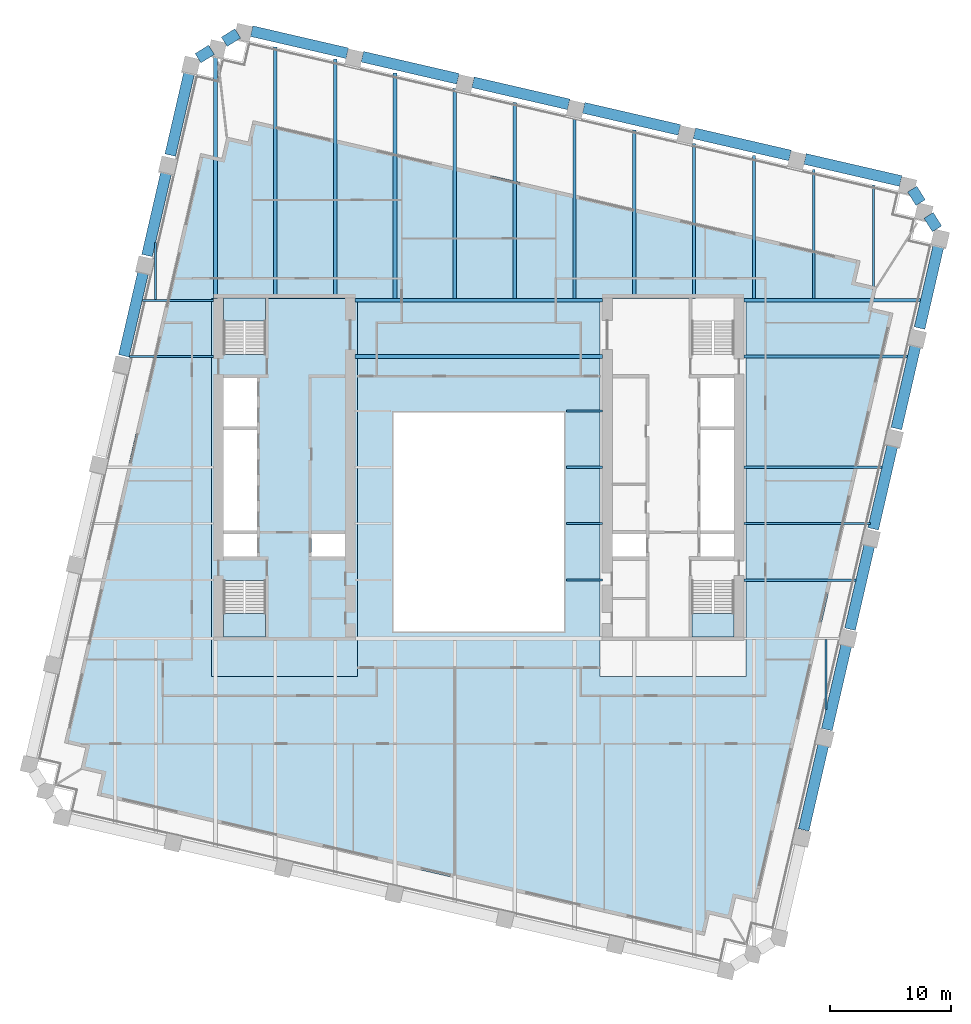
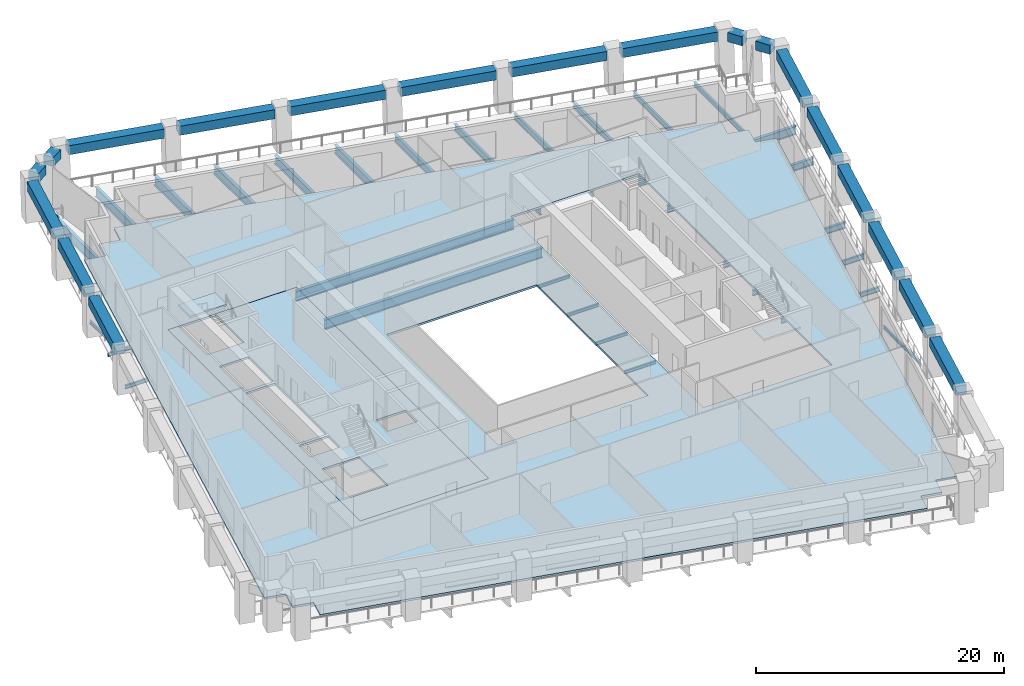
# One storey, part 2 of 10: 46 beams, 5 slabs, 3 elements without a shape of their own.
"""IFC4 building model written with IfcOpenShell, lengths in metres."""

from ifc_helpers import new_model, si_unit, direction, frame, origin, origin_2d, place, context, subcontext, project, spatial, polyline, rectangle, i_section, outline, extrude, material, layer, layer_set, material_profile, profile_set, type_object, element, aggregate, save


model = new_model("IFC4")

# Units and contexts
model_context = context("Model", 3, precision=1e-05, world=origin(), true_north=direction((0.0, 1.0)))
body_context = subcontext(model_context, "Body", "Model", "MODEL_VIEW")
ifc_project = project(units=[si_unit("LENGTHUNIT", "METRE"), si_unit("AREAUNIT", "SQUARE_METRE"), si_unit("VOLUMEUNIT", "CUBIC_METRE"), si_unit("PLANEANGLEUNIT", "RADIAN"), si_unit("MASSUNIT", "GRAM", prefix="KILO")], contexts=[model_context])

# Site, building, storey
site_placement = place(None, origin())
site = spatial("IfcSite", under=ifc_project, at=site_placement, CompositionType="ELEMENT")
building_placement = place(site_placement, origin())
building = spatial("IfcBuilding", under=site, at=building_placement, Name="Ogive Exchange Tower", CompositionType="ELEMENT")
storey_placement = place(building_placement, frame((0.0, 0.0, 147.60009765625)))
storey = spatial("IfcBuildingStorey", under=building, at=storey_placement, Name="L32", CompositionType="ELEMENT", Elevation=147.60009765625)

# Beams
ifc_material_1 = material(Name="Steel ASTM A992 Gr50", Category="steel")
ifc_material_profile_1 = material_profile(ifc_material_1, i_section(OverallWidth=0.300048828125, OverallDepth=0.969970703125, WebThickness=0.01611328125, FlangeThickness=0.02099609375, at=origin_2d()), Name="W1000x222")
ifc_profile_set_1 = profile_set([ifc_material_profile_1], Name="Steel ASTM A992 Gr50")
beam_type_1 = type_object("IfcBeamType", Name="Floor beam W1000x222", PredefinedType="JOIST", material=ifc_profile_set_1)
beam_1_placement = place(storey_placement, frame((-10.169921875, 20.62255859375, -0.68505859375), z_axis=(1.0, 0.0, 0.0), x_axis=(0.0, 1.0, 0.0)))
element("IfcBeam", 1, at=beam_1_placement, inside=storey, type_object=beam_type_1, Name="Floor beam", PredefinedType="JOIST", context=body_context, shape_type="SweptSolid", body=[
    extrude(i_section(OverallWidth=0.300048828125, OverallDepth=0.969970703125, WebThickness=0.01611328125, FlangeThickness=0.02099609375, at=origin_2d()), origin(), (0.0, 0.0, 1.0), 20.33984375),
])
beam_2_placement = place(storey_placement, frame((-21.667724609375, 25.39990234375, -0.68505859375), z_axis=(0.0, 1.0, 0.0), x_axis=(-1.0, 0.0, 0.0)))
element("IfcBeam", 2, at=beam_2_placement, inside=storey, type_object=beam_type_1, Name="Floor beam", PredefinedType="JOIST", context=body_context, shape_type="SweptSolid", body=[
    extrude(i_section(OverallWidth=0.300048828125, OverallDepth=0.969970703125, WebThickness=0.01611328125, FlangeThickness=0.02099609375, at=origin_2d()), origin(), (0.0, 0.0, 1.0), 19.92919921875),
])
beam_3_placement = place(storey_placement, frame((-11.819580078125, 25.39990234375, -0.68505859375), z_axis=(0.0, 1.0, 0.0), x_axis=(-1.0, 0.0, 0.0)))
element("IfcBeam", 3, at=beam_3_placement, inside=storey, type_object=beam_type_1, Name="Floor beam", PredefinedType="JOIST", context=body_context, shape_type="SweptSolid", body=[
    extrude(i_section(OverallWidth=0.300048828125, OverallDepth=0.969970703125, WebThickness=0.01611328125, FlangeThickness=0.02099609375, at=origin_2d()), origin(), (0.0, 0.0, 1.0), 19.708251953125),
])
ifc_material_profile_2 = material_profile(ifc_material_1, i_section(OverallWidth=0.300048828125, OverallDepth=0.97998046875, WebThickness=0.0166015625, FlangeThickness=0.026123046875, at=origin_2d()), Name="W1000x249")
ifc_profile_set_2 = profile_set([ifc_material_profile_2], Name="Steel ASTM A992 Gr50")
beam_type_2 = type_object("IfcBeamType", Name="Floor beam W1000x249", PredefinedType="JOIST", material=ifc_profile_set_2)
beam_4_placement = place(storey_placement, frame((-16.74365234375, 25.39990234375, -0.690185546875), z_axis=(0.0, 1.0, 0.0), x_axis=(-1.0, 0.0, 0.0)))
element("IfcBeam", 4, at=beam_4_placement, inside=storey, type_object=beam_type_2, Name="Floor beam", PredefinedType="JOIST", context=body_context, shape_type="SweptSolid", body=[
    extrude(i_section(OverallWidth=0.300048828125, OverallDepth=0.97998046875, WebThickness=0.0166015625, FlangeThickness=0.026123046875, at=origin_2d()), origin(), (0.0, 0.0, 1.0), 20.695068359375),
])
ifc_material_profile_3 = material_profile(ifc_material_1, i_section(OverallWidth=0.1650390625, OverallDepth=0.31005859375, WebThickness=0.005859375, FlangeThickness=0.009765625, at=origin_2d()), Name="W310x38.7")
ifc_profile_set_3 = profile_set([ifc_material_profile_3], Name="Steel ASTM A992 Gr50")
beam_type_3 = type_object("IfcBeamType", Name="Floor beam W310x38.7", PredefinedType="JOIST", material=ifc_profile_set_3)
for number, where, z_axis, x_axis, name in (
    (5, (7.219970703125, 2.208740234375, -0.35498046875), (1.0, 0.0, 0.0), (0.0, 1.0, 0.0), "Floor beam"),
    (6, (7.219970703125, 6.857421875, -0.35498046875), (1.0, 0.0, 0.0), (0.0, 1.0, 0.0), "Floor beam"),
    (7, (7.219970703125, 11.50634765625, -0.35498046875), (1.0, 0.0, 0.0), (0.0, 1.0, 0.0), "Floor beam"),
):
    element("IfcBeam", number, at=place(storey_placement, frame(where, z_axis=z_axis, x_axis=x_axis)), inside=storey, type_object=beam_type_3, Name=name, PredefinedType="JOIST", context=body_context, shape_type="SweptSolid", body=[
        extrude(i_section(OverallWidth=0.1650390625, OverallDepth=0.31005859375, WebThickness=0.005859375, FlangeThickness=0.009765625, at=origin_2d()), origin(), (0.0, 0.0, 1.0), 2.949951171875),
    ])
beam_5_placement = place(storey_placement, frame((28.573486328125, -8.430908203125, -0.35498046875), z_axis=(0.0, 1.0, 0.0), x_axis=(-1.0, 0.0, 0.0)))
element("IfcBeam", 8, at=beam_5_placement, inside=storey, type_object=beam_type_3, Name="Floor beam", PredefinedType="JOIST", context=body_context, shape_type="SweptSolid", body=[
    extrude(i_section(OverallWidth=0.1650390625, OverallDepth=0.31005859375, WebThickness=0.005859375, FlangeThickness=0.009765625, at=origin_2d()), origin(), (0.0, 0.0, 1.0), 5.740478515625),
])
beam_6_placement = place(storey_placement, frame((-26.592041015625, 25.33056640625, -0.35498046875), z_axis=(0.0, 1.0, 0.0), x_axis=(-1.0, 0.0, 0.0)))
element("IfcBeam", 9, at=beam_6_placement, inside=storey, type_object=beam_type_3, Name="Floor beam", PredefinedType="JOIST", context=body_context, shape_type="SweptSolid", body=[
    extrude(i_section(OverallWidth=0.1650390625, OverallDepth=0.31005859375, WebThickness=0.005859375, FlangeThickness=0.009765625, at=origin_2d()), origin(), (0.0, 0.0, 1.0), 4.683837890625),
])
ifc_material_profile_4 = material_profile(ifc_material_1, i_section(OverallWidth=0.1708984375, OverallDepth=0.35595703125, WebThickness=0.00732421875, FlangeThickness=0.01171875, at=origin_2d()), Name="W360x51")
ifc_profile_set_4 = profile_set([ifc_material_profile_4], Name="Steel ASTM A992 Gr50")
beam_type_4 = type_object("IfcBeamType", Name="Floor beam W360x51", PredefinedType="JOIST", material=ifc_profile_set_4)
beam_7_placement = place(storey_placement, frame((-28.76025390625, 20.62255859375, -0.378173828125), z_axis=(1.0, 0.0, 0.0), x_axis=(0.0, 1.0, 0.0)))
element("IfcBeam", 10, at=beam_7_placement, inside=storey, type_object=beam_type_4, Name="Floor beam", PredefinedType="JOIST", context=body_context, shape_type="SweptSolid", body=[
    extrude(i_section(OverallWidth=0.1708984375, OverallDepth=0.35595703125, WebThickness=0.00732421875, FlangeThickness=0.01171875, at=origin_2d()), origin(), (0.0, 0.0, 1.0), 6.93017578125),
])
ifc_material_profile_5 = material_profile(ifc_material_1, i_section(OverallWidth=0.19091796875, OverallDepth=0.45703125, WebThickness=0.009033203125, FlangeThickness=0.014404296875, at=origin_2d()), Name="W460x74")
ifc_profile_set_5 = profile_set([ifc_material_profile_5], Name="Steel ASTM A992 Gr50")
beam_type_5 = type_object("IfcBeamType", Name="Floor beam W460x74", PredefinedType="JOIST", material=ifc_profile_set_5)
beam_8_placement = place(storey_placement, frame((21.830078125, 2.208740234375, -0.4287109375), z_axis=(1.0, 0.0, 0.0), x_axis=(0.0, 1.0, 0.0)))
element("IfcBeam", 11, at=beam_8_placement, inside=storey, type_object=beam_type_5, Name="Floor beam", PredefinedType="JOIST", context=body_context, shape_type="SweptSolid", body=[
    extrude(i_section(OverallWidth=0.19091796875, OverallDepth=0.45703125, WebThickness=0.009033203125, FlangeThickness=0.014404296875, at=origin_2d()), origin(), (0.0, 0.0, 1.0), 9.199951171875),
])
beam_9_placement = place(storey_placement, frame((32.497802734375, 25.39111328125, -0.4287109375), z_axis=(0.0, 1.0, 0.0), x_axis=(-1.0, 0.0, 0.0)))
element("IfcBeam", 12, at=beam_9_placement, inside=storey, type_object=beam_type_5, Name="Floor beam", PredefinedType="JOIST", context=body_context, shape_type="SweptSolid", body=[
    extrude(i_section(OverallWidth=0.19091796875, OverallDepth=0.45703125, WebThickness=0.009033203125, FlangeThickness=0.014404296875, at=origin_2d()), origin(), (0.0, 0.0, 1.0), 9.335693359375),
])
ifc_material_profile_6 = material_profile(ifc_material_1, i_section(OverallWidth=0.1669921875, OverallDepth=0.535888671875, WebThickness=0.01025390625, FlangeThickness=0.0166015625, at=origin_2d()), Name="W530x85")
ifc_profile_set_6 = profile_set([ifc_material_profile_6], Name="Steel ASTM A992 Gr50")
beam_type_6 = type_object("IfcBeamType", Name="Floor beam W530x85", PredefinedType="JOIST", material=ifc_profile_set_6)
beam_10_placement = place(storey_placement, frame((21.830078125, 6.857421875, -0.468017578125), z_axis=(1.0, 0.0, 0.0), x_axis=(0.0, 1.0, 0.0)))
element("IfcBeam", 13, at=beam_10_placement, inside=storey, type_object=beam_type_6, Name="Floor beam", PredefinedType="JOIST", context=body_context, shape_type="SweptSolid", body=[
    extrude(i_section(OverallWidth=0.1669921875, OverallDepth=0.535888671875, WebThickness=0.01025390625, FlangeThickness=0.0166015625, at=origin_2d()), origin(), (0.0, 0.0, 1.0), 10.423095703125),
])
beam_11_placement = place(storey_placement, frame((27.573486328125, 25.39111328125, -0.468017578125), z_axis=(0.0, 1.0, 0.0), x_axis=(-1.0, 0.0, 0.0)))
element("IfcBeam", 14, at=beam_11_placement, inside=storey, type_object=beam_type_6, Name="Floor beam", PredefinedType="JOIST", context=body_context, shape_type="SweptSolid", body=[
    extrude(i_section(OverallWidth=0.1669921875, OverallDepth=0.535888671875, WebThickness=0.01025390625, FlangeThickness=0.0166015625, at=origin_2d()), origin(), (0.0, 0.0, 1.0), 10.622314453125),
])
ifc_material_profile_7 = material_profile(ifc_material_1, i_section(OverallWidth=0.22802734375, OverallDepth=0.60205078125, WebThickness=0.010498046875, FlangeThickness=0.014892578125, at=origin_2d()), Name="W610x101")
ifc_profile_set_7 = profile_set([ifc_material_profile_7], Name="Steel ASTM A992 Gr50")
beam_type_7 = type_object("IfcBeamType", Name="Floor beam W610x101", PredefinedType="JOIST", material=ifc_profile_set_7)
beam_12_placement = place(storey_placement, frame((21.830078125, 11.50634765625, -0.5009765625), z_axis=(1.0, 0.0, 0.0), x_axis=(0.0, 1.0, 0.0)))
element("IfcBeam", 15, at=beam_12_placement, inside=storey, type_object=beam_type_7, Name="Floor beam", PredefinedType="JOIST", context=body_context, shape_type="SweptSolid", body=[
    extrude(i_section(OverallWidth=0.22802734375, OverallDepth=0.60205078125, WebThickness=0.010498046875, FlangeThickness=0.014892578125, at=origin_2d()), origin(), (0.0, 0.0, 1.0), 11.346435546875),
])
beam_13_placement = place(storey_placement, frame((22.6494140625, 25.39111328125, -0.5009765625), z_axis=(0.0, 1.0, 0.0), x_axis=(-1.0, 0.0, 0.0)))
element("IfcBeam", 16, at=beam_13_placement, inside=storey, type_object=beam_type_7, Name="Floor beam", PredefinedType="JOIST", context=body_context, shape_type="SweptSolid", body=[
    extrude(i_section(OverallWidth=0.22802734375, OverallDepth=0.60205078125, WebThickness=0.010498046875, FlangeThickness=0.014892578125, at=origin_2d()), origin(), (0.0, 0.0, 1.0), 11.75927734375),
])
ifc_material_profile_8 = material_profile(ifc_material_1, i_section(OverallWidth=0.22900390625, OverallDepth=0.612060546875, WebThickness=0.011962890625, FlangeThickness=0.01953125, at=origin_2d()), Name="W610x125")
ifc_profile_set_8 = profile_set([ifc_material_profile_8], Name="Steel ASTM A992 Gr50")
beam_type_8 = type_object("IfcBeamType", Name="Floor beam W610x125", PredefinedType="JOIST", material=ifc_profile_set_8)
beam_14_placement = place(storey_placement, frame((17.725341796875, 25.39990234375, -0.506103515625), z_axis=(0.0, 1.0, 0.0), x_axis=(-1.0, 0.0, 0.0)))
element("IfcBeam", 17, at=beam_14_placement, inside=storey, type_object=beam_type_8, Name="Floor beam", PredefinedType="JOIST", context=body_context, shape_type="SweptSolid", body=[
    extrude(i_section(OverallWidth=0.22900390625, OverallDepth=0.612060546875, WebThickness=0.011962890625, FlangeThickness=0.01953125, at=origin_2d()), origin(), (0.0, 0.0, 1.0), 12.7373046875),
])
ifc_material_profile_9 = material_profile(ifc_material_1, i_section(OverallWidth=0.25390625, OverallDepth=0.677978515625, WebThickness=0.01171875, FlangeThickness=0.016357421875, at=origin_2d()), Name="W690x125")
ifc_profile_set_9 = profile_set([ifc_material_profile_9], Name="Steel ASTM A992 Gr50")
beam_type_9 = type_object("IfcBeamType", Name="Floor beam W690x125", PredefinedType="JOIST", material=ifc_profile_set_9)
beam_15_placement = place(storey_placement, frame((21.830078125, 20.62255859375, -0.5390625), z_axis=(1.0, 0.0, 0.0), x_axis=(0.0, 1.0, 0.0)))
element("IfcBeam", 18, at=beam_15_placement, inside=storey, type_object=beam_type_9, Name="Floor beam", PredefinedType="JOIST", context=body_context, shape_type="SweptSolid", body=[
    extrude(i_section(OverallWidth=0.25390625, OverallDepth=0.677978515625, WebThickness=0.01171875, FlangeThickness=0.016357421875, at=origin_2d()), origin(), (0.0, 0.0, 1.0), 13.60107421875),
])
beam_16_placement = place(storey_placement, frame((12.80126953125, 25.39990234375, -0.5390625), z_axis=(0.0, 1.0, 0.0), x_axis=(-1.0, 0.0, 0.0)))
element("IfcBeam", 19, at=beam_16_placement, inside=storey, type_object=beam_type_9, Name="Floor beam", PredefinedType="JOIST", context=body_context, shape_type="SweptSolid", body=[
    extrude(i_section(OverallWidth=0.25390625, OverallDepth=0.677978515625, WebThickness=0.01171875, FlangeThickness=0.016357421875, at=origin_2d()), origin(), (0.0, 0.0, 1.0), 13.8740234375),
])
ifc_material_profile_10 = material_profile(ifc_material_1, i_section(OverallWidth=0.26708984375, OverallDepth=0.75390625, WebThickness=0.01318359375, FlangeThickness=0.01708984375, at=origin_2d()), Name="W760x147")
ifc_profile_set_10 = profile_set([ifc_material_profile_10], Name="Steel ASTM A992 Gr50")
beam_type_10 = type_object("IfcBeamType", Name="Floor beam W760x147", PredefinedType="JOIST", material=ifc_profile_set_10)
beam_17_placement = place(storey_placement, frame((7.876953125, 25.39501953125, -0.5771484375), z_axis=(0.0, 1.0, 0.0), x_axis=(-1.0, 0.0, 0.0)))
element("IfcBeam", 20, at=beam_17_placement, inside=storey, type_object=beam_type_10, Name="Floor beam", PredefinedType="JOIST", context=body_context, shape_type="SweptSolid", body=[
    extrude(i_section(OverallWidth=0.26708984375, OverallDepth=0.75390625, WebThickness=0.01318359375, FlangeThickness=0.01708984375, at=origin_2d()), origin(), (0.0, 0.0, 1.0), 15.015869140625),
])
ifc_material_profile_11 = material_profile(ifc_material_1, i_section(OverallWidth=0.2919921875, OverallDepth=0.8359375, WebThickness=0.013916015625, FlangeThickness=0.018798828125, at=origin_2d()), Name="W840x176")
ifc_profile_set_11 = profile_set([ifc_material_profile_11], Name="Steel ASTM A992 Gr50")
beam_type_11 = type_object("IfcBeamType", Name="Floor beam W840x176", PredefinedType="JOIST", material=ifc_profile_set_11)
beam_18_placement = place(storey_placement, frame((-1.97119140625, 25.39501953125, -0.6181640625), z_axis=(0.0, 1.0, 0.0), x_axis=(-1.0, 0.0, 0.0)))
element("IfcBeam", 21, at=beam_18_placement, inside=storey, type_object=beam_type_11, Name="Floor beam", PredefinedType="JOIST", context=body_context, shape_type="SweptSolid", body=[
    extrude(i_section(OverallWidth=0.2919921875, OverallDepth=0.8359375, WebThickness=0.013916015625, FlangeThickness=0.018798828125, at=origin_2d()), origin(), (0.0, 0.0, 1.0), 17.28955078125),
])
beam_19_placement = place(storey_placement, frame((2.952880859375, 25.39501953125, -0.6181640625), z_axis=(0.0, 1.0, 0.0), x_axis=(-1.0, 0.0, 0.0)))
element("IfcBeam", 22, at=beam_19_placement, inside=storey, type_object=beam_type_11, Name="Floor beam", PredefinedType="JOIST", context=body_context, shape_type="SweptSolid", body=[
    extrude(i_section(OverallWidth=0.2919921875, OverallDepth=0.8359375, WebThickness=0.013916015625, FlangeThickness=0.018798828125, at=origin_2d()), origin(), (0.0, 0.0, 1.0), 16.152587890625),
])
ifc_material_profile_12 = material_profile(ifc_material_1, i_section(OverallWidth=0.304931640625, OverallDepth=0.904052734375, WebThickness=0.01513671875, FlangeThickness=0.02001953125, at=origin_2d()), Name="W920x201")
ifc_profile_set_12 = profile_set([ifc_material_profile_12], Name="Steel ASTM A992 Gr50")
beam_type_12 = type_object("IfcBeamType", Name="Floor beam W920x201", PredefinedType="JOIST", material=ifc_profile_set_12)
beam_20_placement = place(storey_placement, frame((-6.8955078125, 25.39501953125, -0.652099609375), z_axis=(0.0, 1.0, 0.0), x_axis=(-1.0, 0.0, 0.0)))
element("IfcBeam", 23, at=beam_20_placement, inside=storey, type_object=beam_type_12, Name="Floor beam", PredefinedType="JOIST", context=body_context, shape_type="SweptSolid", body=[
    extrude(i_section(OverallWidth=0.304931640625, OverallDepth=0.904052734375, WebThickness=0.01513671875, FlangeThickness=0.02001953125, at=origin_2d()), origin(), (0.0, 0.0, 1.0), 18.576171875),
])
ifc_material_profile_13 = material_profile(ifc_material_1, i_section(OverallWidth=0.300048828125, OverallDepth=0.97998046875, WebThickness=0.0166015625, FlangeThickness=0.026123046875, at=origin_2d()), Name="W1000x249")
ifc_profile_set_13 = profile_set([ifc_material_profile_13], Name="Steel ASTM A992 Gr50")
beam_type_13 = type_object("IfcBeamType", Name="Girder W1000x249", PredefinedType="BEAM", material=ifc_profile_set_13)
beam_21_placement = place(storey_placement, frame((-10.169921875, 25.2451171875, -0.690185546875), z_axis=(1.0, 0.0, 0.0), x_axis=(0.0, 1.0, 0.0)))
element("IfcBeam", 24, at=beam_21_placement, inside=storey, type_object=beam_type_13, Name="Header girder", PredefinedType="BEAM", context=body_context, shape_type="SweptSolid", body=[
    extrude(i_section(OverallWidth=0.300048828125, OverallDepth=0.97998046875, WebThickness=0.0166015625, FlangeThickness=0.026123046875, at=origin_2d()), origin(), (0.0, 0.0, 1.0), 20.33984375),
])
ifc_material_profile_14 = material_profile(ifc_material_1, i_section(OverallWidth=0.1650390625, OverallDepth=0.31005859375, WebThickness=0.005859375, FlangeThickness=0.009765625, at=origin_2d()), Name="W310x38.7")
ifc_profile_set_14 = profile_set([ifc_material_profile_14], Name="Steel ASTM A992 Gr50")
beam_type_14 = type_object("IfcBeamType", Name="Girder W310x38.7", PredefinedType="BEAM", material=ifc_profile_set_14)
beam_22_placement = place(storey_placement, frame((7.219970703125, 16.155029296875, -0.35498046875), z_axis=(1.0, 0.0, 0.0), x_axis=(0.0, 1.0, 0.0)))
element("IfcBeam", 25, at=beam_22_placement, inside=storey, type_object=beam_type_14, Name="Trimmer girder", PredefinedType="BEAM", context=body_context, shape_type="SweptSolid", body=[
    extrude(i_section(OverallWidth=0.1650390625, OverallDepth=0.31005859375, WebThickness=0.005859375, FlangeThickness=0.009765625, at=origin_2d()), origin(), (0.0, 0.0, 1.0), 2.949951171875),
])
ifc_material_profile_15 = material_profile(ifc_material_1, i_section(OverallWidth=0.1708984375, OverallDepth=0.35595703125, WebThickness=0.00732421875, FlangeThickness=0.01171875, at=origin_2d()), Name="W360x51")
ifc_profile_set_15 = profile_set([ifc_material_profile_15], Name="Steel ASTM A992 Gr50")
beam_type_15 = type_object("IfcBeamType", Name="Girder W360x51", PredefinedType="BEAM", material=ifc_profile_set_15)
beam_23_placement = place(storey_placement, frame((-27.693115234375, 25.2451171875, -0.378173828125), z_axis=(1.0, 0.0, 0.0), x_axis=(0.0, 1.0, 0.0)))
element("IfcBeam", 26, at=beam_23_placement, inside=storey, type_object=beam_type_15, Name="Header girder", PredefinedType="BEAM", context=body_context, shape_type="SweptSolid", body=[
    extrude(i_section(OverallWidth=0.1708984375, OverallDepth=0.35595703125, WebThickness=0.00732421875, FlangeThickness=0.01171875, at=origin_2d()), origin(), (0.0, 0.0, 1.0), 5.863037109375),
])
ifc_material_profile_16 = material_profile(ifc_material_1, i_section(OverallWidth=0.2919921875, OverallDepth=0.8359375, WebThickness=0.013916015625, FlangeThickness=0.018798828125, at=origin_2d()), Name="W840x176")
ifc_profile_set_16 = profile_set([ifc_material_profile_16], Name="Steel ASTM A992 Gr50")
beam_type_16 = type_object("IfcBeamType", Name="Girder W840x176", PredefinedType="BEAM", material=ifc_profile_set_16)
beam_24_placement = place(storey_placement, frame((21.830078125, 25.2451171875, -0.6181640625), z_axis=(1.0, 0.0, 0.0), x_axis=(0.0, 1.0, 0.0)))
element("IfcBeam", 27, at=beam_24_placement, inside=storey, type_object=beam_type_16, Name="Header girder", PredefinedType="BEAM", context=body_context, shape_type="SweptSolid", body=[
    extrude(i_section(OverallWidth=0.2919921875, OverallDepth=0.8359375, WebThickness=0.013916015625, FlangeThickness=0.018798828125, at=origin_2d()), origin(), (0.0, 0.0, 1.0), 14.668212890625),
])
ifc_material_2 = material(Name="Precast concrete C70/85 (limestone faced)", Category="masonry")
ifc_material_profile_17 = material_profile(ifc_material_2, rectangle(XDim=0.89990234375, YDim=0.89990234375, at=origin_2d()), Name="900 x 900")
ifc_profile_set_17 = profile_set([ifc_material_profile_17], Name="Precast concrete C70/85 (limestone faced)")
beam_type_17 = type_object("IfcBeamType", Name="Precast spandrel 900 x 900 C70/85", PredefinedType="SPANDREL", material=ifc_profile_set_17)
for number, where, z_axis, x_axis, name in (
    (28, (26.74658203125, -18.345458984375, 3.5), (0.224931145055, 0.974374660992, 0.0), (-0.974374660992, 0.224931145055, 0.0), "Spandrel 10"),
    (29, (28.653564453125, -10.0849609375, 3.5), (0.224963257617, 0.974367247357, 0.0), (-0.974367247357, 0.224963257617, 0.0), "Spandrel 11"),
    (30, (30.560791015625, -1.82421875, 3.5), (0.224931145055, 0.974374660992, 0.0), (-0.974374660992, 0.224931145055, 0.0), "Spandrel 12"),
    (31, (32.4677734375, 6.436279296875, 3.5), (0.224963257617, 0.974367247357, 0.0), (-0.974367247357, 0.224963257617, 0.0), "Spandrel 13"),
    (32, (34.375, 14.697021484375, 3.5), (0.224931145055, 0.974374660992, 0.0), (-0.974374660992, 0.224931145055, 0.0), "Spandrel 14"),
):
    element("IfcBeam", number, at=place(storey_placement, frame(where, z_axis=z_axis, x_axis=x_axis)), inside=storey, type_object=beam_type_17, Name=name, PredefinedType="SPANDREL", context=body_context, shape_type="SweptSolid", body=[
        extrude(rectangle(XDim=0.89990234375, YDim=0.89990234375, at=origin_2d()), origin(), (0.0, 0.0, 1.0), 7.218017578125),
    ])
beam_25_placement = place(storey_placement, frame((36.281982421875, 22.957763671875, 3.5), z_axis=(0.224970671963, 0.974365535493, 0.0), x_axis=(-0.974365535493, 0.224970671963, 0.0)))
element("IfcBeam", 33, at=beam_25_placement, inside=storey, type_object=beam_type_17, Name="Spandrel 15", PredefinedType="SPANDREL", context=body_context, shape_type="SweptSolid", body=[
    extrude(rectangle(XDim=0.89990234375, YDim=0.89990234375, at=origin_2d()), origin(), (0.0, 0.0, 1.0), 7.2177734375),
])
for number, where, z_axis, x_axis, name in (
    (34, (37.71923828125, 31.129638671875, 3.5), (-0.529931776808, 0.848040277303, 0.0), (-0.848040277303, -0.529931776808, 0.0), "Spandrel 16"),
    (35, (36.370361328125, 33.288330078125, 3.5), (-0.529931776808, 0.848040277303, 0.0), (-0.848040277303, -0.529931776808, 0.0), "Spandrel 17"),
):
    element("IfcBeam", number, at=place(storey_placement, frame(where, z_axis=z_axis, x_axis=x_axis)), inside=storey, type_object=beam_type_17, Name=name, PredefinedType="SPANDREL", context=body_context, shape_type="SweptSolid", body=[
        extrude(rectangle(XDim=0.89990234375, YDim=0.89990234375, at=origin_2d()), origin(), (0.0, 0.0, 1.0), 1.30712890625),
    ])
for number, where, z_axis, x_axis, name in (
    (36, (34.735595703125, 35.063720703125, 3.5), (-0.974370337884, 0.224949871421, 0.0), (-0.224949871421, -0.974370337884, 0.0), "Spandrel 18"),
    (37, (25.625244140625, 37.1669921875, 3.5), (-0.974370337884, 0.224949871421, 0.0), (-0.224949871421, -0.974370337884, 0.0), "Spandrel 19"),
    (38, (16.514892578125, 39.270263671875, 3.5), (-0.974370337884, 0.224949871421, 0.0), (-0.224949871421, -0.974370337884, 0.0), "Spandrel 20"),
    (39, (7.404541015625, 41.37353515625, 3.5), (-0.974370337884, 0.224949871421, 0.0), (-0.224949871421, -0.974370337884, 0.0), "Spandrel 21"),
    (40, (-1.705810546875, 43.476806640625, 3.5), (-0.974370337884, 0.224949871421, 0.0), (-0.224949871421, -0.974370337884, 0.0), "Spandrel 22"),
    (41, (-10.816162109375, 45.580078125, 3.5), (-0.974370337884, 0.224949871421, 0.0), (-0.224949871421, -0.974370337884, 0.0), "Spandrel 23"),
):
    element("IfcBeam", number, at=place(storey_placement, frame(where, z_axis=z_axis, x_axis=x_axis)), inside=storey, type_object=beam_type_17, Name=name, PredefinedType="SPANDREL", context=body_context, shape_type="SweptSolid", body=[
        extrude(rectangle(XDim=0.89990234375, YDim=0.89990234375, at=origin_2d()), origin(), (0.0, 0.0, 1.0), 8.08984375),
    ])
beam_26_placement = place(storey_placement, frame((-19.837646484375, 47.213623046875, 3.5), z_axis=(-0.848092721491, -0.529847842077, 0.0), x_axis=(0.529847842077, -0.848092721491, 0.0)))
element("IfcBeam", 42, at=beam_26_placement, inside=storey, type_object=beam_type_17, Name="Spandrel 24", PredefinedType="SPANDREL", context=body_context, shape_type="SweptSolid", body=[
    extrude(rectangle(XDim=0.89990234375, YDim=0.89990234375, at=origin_2d()), origin(), (0.0, 0.0, 1.0), 1.30712890625),
])
beam_27_placement = place(storey_placement, frame((-21.99658203125, 45.864501953125, 3.5), z_axis=(-0.848124220403, -0.529797420498, 0.0), x_axis=(0.529797420498, -0.848124220403, 0.0)))
element("IfcBeam", 43, at=beam_27_placement, inside=storey, type_object=beam_type_17, Name="Spandrel 25", PredefinedType="SPANDREL", context=body_context, shape_type="SweptSolid", body=[
    extrude(rectangle(XDim=0.89990234375, YDim=0.89990234375, at=origin_2d()), origin(), (0.0, 0.0, 1.0), 1.306884765625),
])
for number, where, z_axis, x_axis, name in (
    (44, (-23.77197265625, 44.22998046875, 3.5), (-0.224931145055, -0.974374660992, 0.0), (0.974374660992, -0.224931145055, 0.0), "Spandrel 26"),
    (45, (-25.678955078125, 35.96923828125, 3.5), (-0.224963257617, -0.974367247357, 0.0), (0.974367247357, -0.224963257617, 0.0), "Spandrel 27"),
    (46, (-27.586181640625, 27.708740234375, 3.5), (-0.224931145055, -0.974374660992, 0.0), (0.974374660992, -0.224931145055, 0.0), "Spandrel 28"),
):
    element("IfcBeam", number, at=place(storey_placement, frame(where, z_axis=z_axis, x_axis=x_axis)), inside=storey, type_object=beam_type_17, Name=name, PredefinedType="SPANDREL", context=body_context, shape_type="SweptSolid", body=[
        extrude(rectangle(XDim=0.89990234375, YDim=0.89990234375, at=origin_2d()), origin(), (0.0, 0.0, 1.0), 7.218017578125),
    ])

# Slabs
ifc_material_3 = material(Name="Concrete C50/60", Category="concrete")
ifc_layer_1 = layer(ifc_material_3, 0.199951171875)
ifc_layer_set_1 = layer_set([ifc_layer_1], Name="Composite floor slab 200")
slab_type_1 = type_object("IfcSlabType", Name="Composite floor slab 200", PredefinedType="FLOOR", material=ifc_layer_set_1)
slab_1_placement = place(storey_placement, frame((0.0, 0.0, -0.2001953125)))
element("IfcSlab", 47, at=slab_1_placement, inside=storey, type_object=slab_type_1, Name="Composite floor slab", PredefinedType="FLOOR", context=body_context, shape_type="SweptSolid", body=[
    extrude(outline(polyline([(-30.998779296875, -13.74560546875), (-32.752685546875, -13.3408203125), (-32.34765625, -11.5869140625), (-34.1015625, -11.181884765625), (-22.89892578125, 37.341552734375), (-21.145263671875, 36.936767578125), (-20.740234375, 38.690673828125), (-18.986328125, 38.28564453125), (-18.58154296875, 40.03955078125), (31.40380859375, 28.49951171875), (30.998779296875, 26.74560546875), (32.752685546875, 26.3408203125), (32.34765625, 24.5869140625), (34.1015625, 24.181884765625), (22.89892578125, -24.341552734375), (21.145263671875, -23.936767578125), (20.740234375, -25.690673828125), (18.986328125, -25.28564453125), (18.58154296875, -27.03955078125), (-31.40380859375, -15.49951171875), (-30.998779296875, -13.74560546875)]), holes=[polyline([(7.0, -2.0), (7.0, 16.0), (-7.0, 16.0), (-7.0, -2.0), (7.0, -2.0)]), polyline([(-22.0, -5.699951171875), (-10.0, -5.699951171875), (-10.0, 25.39990234375), (-22.0, 25.39990234375), (-22.0, -5.699951171875)]), polyline([(10.0, -5.699951171875), (22.0, -5.699951171875), (22.0, 25.39990234375), (10.0, 25.39990234375), (10.0, -5.699951171875)])]), origin(), (0.0, 0.0, 1.0), 0.2001953125),
])
ifc_material_4 = material(Name="Concrete C70/85", Category="concrete")
ifc_layer_2 = layer(ifc_material_4, 0.199951171875)
ifc_layer_set_2 = layer_set([ifc_layer_2], Name="Core floor slab 200")
slab_type_2 = type_object("IfcSlabType", Name="Core floor slab 200", PredefinedType="FLOOR", material=ifc_layer_set_2)
slab_2_placement = place(storey_placement, frame((0.0, 0.0, -0.2001953125)))
element("IfcSlab", 48, at=slab_2_placement, inside=storey, type_object=slab_type_2, Name="Core floor slab", PredefinedType="FLOOR", context=body_context, shape_type="SweptSolid", body=[
    extrude(outline(polyline([(-10.0, 25.39990234375), (-10.0, -5.699951171875), (-22.0, -5.699951171875), (-22.0, 25.39990234375), (-21.0, 25.39990234375), (-21.0, 20.803955078125), (-17.550048828125, 20.803955078125), (-17.550048828125, 25.39990234375), (-10.0, 25.39990234375)]), holes=[polyline([(-17.550048828125, 2.196044921875), (-21.0, 2.196044921875), (-21.0, -2.449951171875), (-17.550048828125, -2.449951171875), (-17.550048828125, 2.196044921875)]), polyline([(-18.25, 5.992919921875), (-21.0, 5.992919921875), (-21.0, 4.14990234375), (-18.25, 4.14990234375), (-18.25, 5.992919921875)]), polyline([(-11.0, 5.992919921875), (-13.75, 5.992919921875), (-13.75, 4.14990234375), (-11.0, 4.14990234375), (-11.0, 5.992919921875)]), polyline([(-21.0, 14.564208984375), (-21.0, 6.29296875), (-18.25, 6.29296875), (-18.25, 14.564208984375), (-21.0, 14.564208984375)]), polyline([(-18.25, 18.85009765625), (-21.0, 18.85009765625), (-21.0, 14.8642578125), (-18.25, 14.8642578125), (-18.25, 18.85009765625)])]), origin(), (0.0, 0.0, 1.0), 0.2001953125),
])

# Stair, slab
ifc_material_5 = material(Name="Concrete C40/50", Category="concrete")
stair_type = type_object("IfcStairType", Name="Exit stair 1650 wide", PredefinedType="HALF_TURN_STAIR", material=ifc_material_5)
stair_1_placement = place(storey_placement, origin())
stair_1 = element("IfcStair", 49, at=stair_1_placement, inside=storey, type_object=stair_type, Name="L32 exit stair ST1", PredefinedType="HALF_TURN_STAIR")
ifc_layer_3 = layer(ifc_material_5, 0.199951171875)
ifc_layer_set_3 = layer_set([ifc_layer_3], Name="Stair landing 200 slab")
slab_type_3 = type_object("IfcSlabType", Name="Stair landing 200 slab", PredefinedType="LANDING", material=ifc_layer_set_3)
slab_3_placement = place(storey_placement, frame((0.0, 0.0, 1.89990234375)))
slab_3 = element("IfcSlab", 50, at=slab_3_placement, type_object=slab_type_3, Name="ST1 landing 1", PredefinedType="LANDING", context=body_context, shape_type="SweptSolid", body=[
    extrude(outline(polyline([(-21.0, -0.550048828125), (-21.0, -2.449951171875), (-17.550048828125, -2.449951171875), (-17.550048828125, -0.550048828125), (-21.0, -0.550048828125)])), origin(), (0.0, 0.0, 1.0), 0.199951171875),
])
aggregate(stair_1, [slab_3])

stair_2_placement = place(storey_placement, origin())
stair_2 = element("IfcStair", 51, at=stair_2_placement, inside=storey, type_object=stair_type, Name="L32 exit stair ST2", PredefinedType="HALF_TURN_STAIR")
slab_4_placement = place(storey_placement, frame((0.0, 0.0, 1.89990234375)))
slab_4 = element("IfcSlab", 52, at=slab_4_placement, type_object=slab_type_3, Name="ST2 landing 1", PredefinedType="LANDING", context=body_context, shape_type="SweptSolid", body=[
    extrude(outline(polyline([(-17.550048828125, 23.550048828125), (-17.550048828125, 25.449951171875), (-21.0, 25.449951171875), (-21.0, 23.550048828125), (-17.550048828125, 23.550048828125)])), origin(), (0.0, 0.0, 1.0), 0.199951171875),
])
aggregate(stair_2, [slab_4])

stair_3_placement = place(storey_placement, origin())
stair_3 = element("IfcStair", 53, at=stair_3_placement, inside=storey, type_object=stair_type, Name="L32 exit stair ST3", PredefinedType="HALF_TURN_STAIR")
slab_5_placement = place(storey_placement, frame((0.0, 0.0, 1.89990234375)))
slab_5 = element("IfcSlab", 54, at=slab_5_placement, type_object=slab_type_3, Name="ST3 landing 1", PredefinedType="LANDING", context=body_context, shape_type="SweptSolid", body=[
    extrude(outline(polyline([(17.550048828125, -0.550048828125), (17.550048828125, -2.449951171875), (21.0, -2.449951171875), (21.0, -0.550048828125), (17.550048828125, -0.550048828125)])), origin(), (0.0, 0.0, 1.0), 0.199951171875),
])
aggregate(stair_3, [slab_5])

save(model, "model.ifc")
